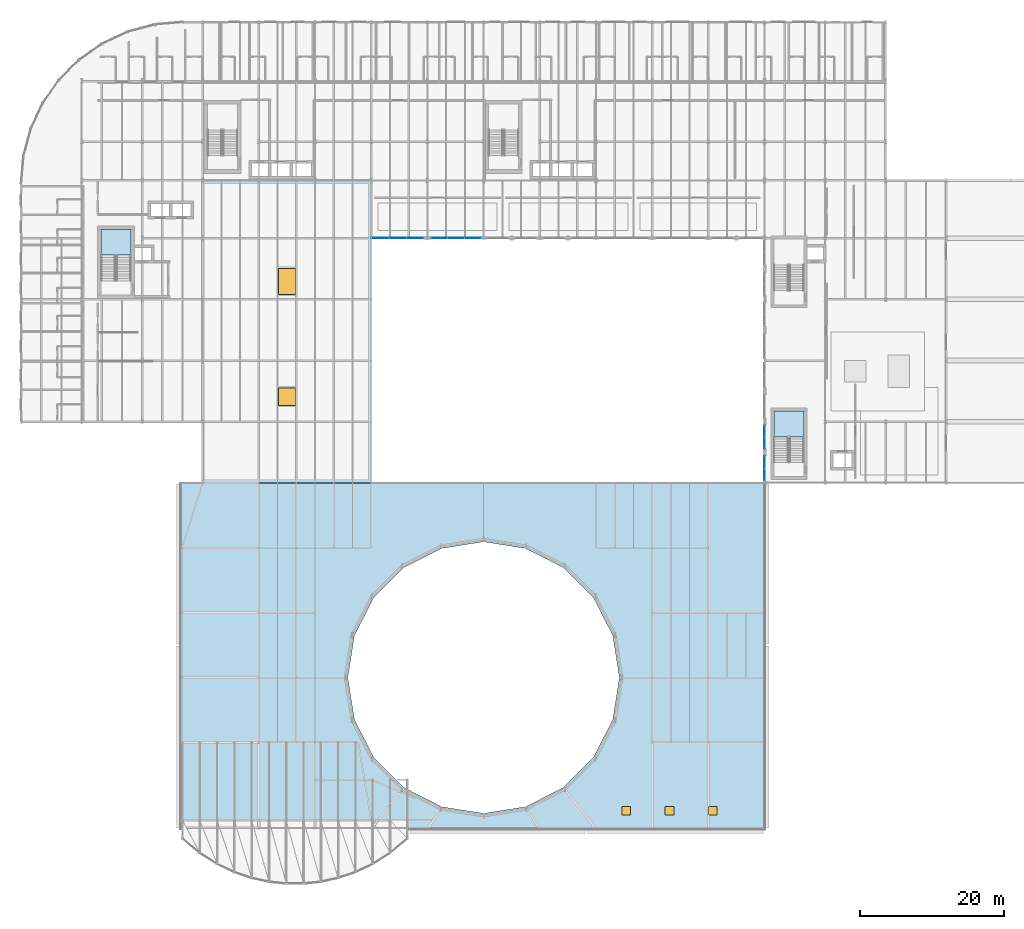
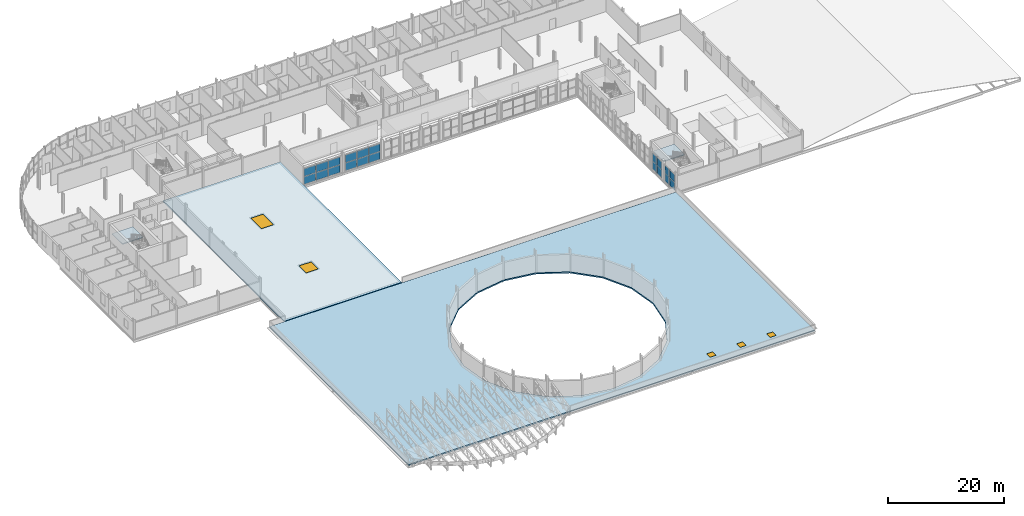
# One storey, part 31 of 58: 20 plates, 5 windows, 4 slabs, 5 openings, 6 elements without a shape of their own.
"""IFC4 building model written with IfcOpenShell, lengths in metres."""

from ifc_helpers import new_model, si_unit, direction, frame, origin, origin_2d, place, context, subcontext, project, spatial, polyline, rectangle, outline, extrude, material, layer, layer_set, type_object, element, fill, aggregate, save


model = new_model("IFC4")

# Units and contexts
model_context = context("Model", 3, precision=1e-05, world=origin(), true_north=direction((0.0, 1.0)))
body_context = subcontext(model_context, "Body", "Model", "MODEL_VIEW")
ifc_project = project(units=[si_unit("LENGTHUNIT", "METRE"), si_unit("AREAUNIT", "SQUARE_METRE"), si_unit("VOLUMEUNIT", "CUBIC_METRE"), si_unit("PLANEANGLEUNIT", "RADIAN"), si_unit("MASSUNIT", "GRAM", prefix="KILO")], contexts=[model_context])

# Site, building, storey
site_placement = place(None, origin())
site = spatial("IfcSite", under=ifc_project, at=site_placement, CompositionType="ELEMENT")
building_placement = place(site_placement, origin())
building = spatial("IfcBuilding", under=site, at=building_placement, Name="Sefraquen Railside Congress Hotel", CompositionType="ELEMENT")
storey_placement = place(building_placement, frame((0.0, 0.0, 16.199951171875)))
storey = spatial("IfcBuildingStorey", under=building, at=storey_placement, Name="L03", CompositionType="ELEMENT", Elevation=16.199951171875)

# Curtain wall, plates
ifc_material_1 = material(Name="Thermally broken anodised aluminium and low-E double glazing", Category="aluminium")
ifc_layer_1 = layer(ifc_material_1, 0.199951171875)
ifc_layer_set_1 = layer_set([ifc_layer_1], Name="Thermally broken anodised aluminium and low-E double glazing")
curtain_wall_type_1 = type_object("IfcCurtainWallType", Name="TCW-UCW-32", PredefinedType="USERDEFINED", material=ifc_layer_set_1)
curtain_wall_1_placement = place(storey_placement, origin())
curtain_wall_1 = element("IfcCurtainWall", 1, at=curtain_wall_1_placement, inside=storey, type_object=curtain_wall_type_1, Name="Meeting Wing L03 courtyard north curtain wall 1", ObjectType="UNITISED CURTAIN WALL", PredefinedType="USERDEFINED")
ifc_material_2 = material(Name="Solar-control low-E double glazing", Category="glass")
ifc_layer_2 = layer(ifc_material_2, 0.02392578125)
ifc_layer_set_2 = layer_set([ifc_layer_2], Name="Solar-control low-E double glazing")
plate_type_1 = type_object("IfcPlateType", Name="TP-CWP-01", PredefinedType="CURTAIN_PANEL", material=ifc_layer_set_2)
plate_1_placement = place(storey_placement, frame((49.853271484375, 88.0, 0.0400390625), z_axis=(0.0, 0.0, 1.0), x_axis=(1.0, 0.0, 0.0)))
plate_1 = element("IfcPlate", 2, at=plate_1_placement, type_object=plate_type_1, Name="CW-L03-064 panel 1.1", PredefinedType="CURTAIN_PANEL", context=body_context, shape_type="SweptSolid", body=[
    extrude(rectangle(XDim=2.336669921875, YDim=0.02392578125, at=origin_2d()), origin(), (0.0, 0.0, 1.0), 1.60498046875),
])
plate_2_placement = place(storey_placement, frame((52.280029296875, 88.0, 0.0400390625), z_axis=(0.0, 0.0, 1.0), x_axis=(1.0, 0.0, 0.0)))
plate_2 = element("IfcPlate", 3, at=plate_2_placement, type_object=plate_type_1, Name="CW-L03-064 panel 1.2", PredefinedType="CURTAIN_PANEL", context=body_context, shape_type="SweptSolid", body=[
    extrude(rectangle(XDim=2.336669921875, YDim=0.02392578125, at=origin_2d()), origin(), (0.0, 0.0, 1.0), 1.60498046875),
])
plate_3_placement = place(storey_placement, frame((54.706787109375, 88.0, 0.0400390625), z_axis=(0.0, 0.0, 1.0), x_axis=(1.0, 0.0, 0.0)))
plate_3 = element("IfcPlate", 4, at=plate_3_placement, type_object=plate_type_1, Name="CW-L03-064 panel 1.3", PredefinedType="CURTAIN_PANEL", context=body_context, shape_type="SweptSolid", body=[
    extrude(rectangle(XDim=2.336669921875, YDim=0.02392578125, at=origin_2d()), origin(), (0.0, 0.0, 1.0), 1.60498046875),
])

curtain_wall_2_placement = place(storey_placement, origin())
curtain_wall_2 = element("IfcCurtainWall", 5, at=curtain_wall_2_placement, inside=storey, type_object=curtain_wall_type_1, Name="Meeting Wing L03 courtyard north curtain wall 1 bay 2", ObjectType="UNITISED CURTAIN WALL", PredefinedType="USERDEFINED")
plate_4_placement = place(storey_placement, frame((58.04833984375, 88.0, 0.0400390625), z_axis=(0.0, 0.0, 1.0), x_axis=(1.0, 0.0, 0.0)))
plate_4 = element("IfcPlate", 6, at=plate_4_placement, type_object=plate_type_1, Name="CW-L03-064-S2 panel 1.1", PredefinedType="CURTAIN_PANEL", context=body_context, shape_type="SweptSolid", body=[
    extrude(rectangle(XDim=2.24658203125, YDim=0.02392578125, at=origin_2d()), origin(), (0.0, 0.0, 1.0), 1.60498046875),
])
plate_5_placement = place(storey_placement, frame((60.385009765625, 88.0, 0.0400390625), z_axis=(0.0, 0.0, 1.0), x_axis=(1.0, 0.0, 0.0)))
plate_5 = element("IfcPlate", 7, at=plate_5_placement, type_object=plate_type_1, Name="CW-L03-064-S2 panel 1.2", PredefinedType="CURTAIN_PANEL", context=body_context, shape_type="SweptSolid", body=[
    extrude(rectangle(XDim=2.24658203125, YDim=0.02392578125, at=origin_2d()), origin(), (0.0, 0.0, 1.0), 1.60498046875),
])
plate_6_placement = place(storey_placement, frame((62.7216796875, 88.0, 0.0400390625), z_axis=(0.0, 0.0, 1.0), x_axis=(1.0, 0.0, 0.0)))
plate_6 = element("IfcPlate", 8, at=plate_6_placement, type_object=plate_type_1, Name="CW-L03-064-S2 panel 1.3", PredefinedType="CURTAIN_PANEL", context=body_context, shape_type="SweptSolid", body=[
    extrude(rectangle(XDim=2.24658203125, YDim=0.02392578125, at=origin_2d()), origin(), (0.0, 0.0, 1.0), 1.60498046875),
])

ifc_layer_3 = layer(ifc_material_1, 0.199951171875)
ifc_layer_set_3 = layer_set([ifc_layer_3], Name="Thermally broken anodised aluminium and low-E double glazing")
curtain_wall_type_2 = type_object("IfcCurtainWallType", Name="TCW-UCW-03", PredefinedType="USERDEFINED", material=ifc_layer_set_3)
curtain_wall_3_placement = place(storey_placement, origin())
curtain_wall_3 = element("IfcCurtainWall", 9, at=curtain_wall_3_placement, inside=storey, type_object=curtain_wall_type_2, Name="Meeting Wing L03 courtyard east curtain wall", ObjectType="UNITISED CURTAIN WALL", PredefinedType="USERDEFINED")
plate_7_placement = place(storey_placement, frame((103.199951171875, 55.175048828125, 0.0400390625), z_axis=(0.0, 0.0, 1.0), x_axis=(0.0, 1.0, 0.0)))
plate_7 = element("IfcPlate", 10, at=plate_7_placement, type_object=plate_type_1, Name="CW-L03-067 panel 1.1", PredefinedType="CURTAIN_PANEL", context=body_context, shape_type="SweptSolid", body=[
    extrude(rectangle(XDim=1.639892578125, YDim=0.02392578125, at=origin_2d()), origin(), (0.0, 0.0, 1.0), 1.60498046875),
])
plate_8_placement = place(storey_placement, frame((103.199951171875, 56.905029296875, 0.0400390625), z_axis=(0.0, 0.0, 1.0), x_axis=(0.0, 1.0, 0.0)))
plate_8 = element("IfcPlate", 11, at=plate_8_placement, type_object=plate_type_1, Name="CW-L03-067 panel 1.2", PredefinedType="CURTAIN_PANEL", context=body_context, shape_type="SweptSolid", body=[
    extrude(rectangle(XDim=1.639892578125, YDim=0.02392578125, at=origin_2d()), origin(), (0.0, 0.0, 1.0), 1.60498046875),
])

curtain_wall_4_placement = place(storey_placement, origin())
curtain_wall_4 = element("IfcCurtainWall", 12, at=curtain_wall_4_placement, inside=storey, type_object=curtain_wall_type_2, Name="Meeting Wing L03 courtyard east curtain wall bay 2", ObjectType="UNITISED CURTAIN WALL", PredefinedType="USERDEFINED")
plate_9_placement = place(storey_placement, frame((103.199951171875, 59.552490234375, 0.0400390625), z_axis=(0.0, 0.0, 1.0), x_axis=(0.0, 1.0, 0.0)))
plate_9 = element("IfcPlate", 13, at=plate_9_placement, type_object=plate_type_1, Name="CW-L03-067-S2 panel 1.1", PredefinedType="CURTAIN_PANEL", context=body_context, shape_type="SweptSolid", body=[
    extrude(rectangle(XDim=1.554931640625, YDim=0.02392578125, at=origin_2d()), origin(), (0.0, 0.0, 1.0), 1.60498046875),
])
plate_10_placement = place(storey_placement, frame((103.199951171875, 61.197509765625, 0.0400390625), z_axis=(0.0, 0.0, 1.0), x_axis=(0.0, 1.0, 0.0)))
plate_10 = element("IfcPlate", 14, at=plate_10_placement, type_object=plate_type_1, Name="CW-L03-067-S2 panel 1.2", PredefinedType="CURTAIN_PANEL", context=body_context, shape_type="SweptSolid", body=[
    extrude(rectangle(XDim=1.554931640625, YDim=0.02392578125, at=origin_2d()), origin(), (0.0, 0.0, 1.0), 1.60498046875),
])

# Plate
ifc_material_3 = material(Name="Triple acoustic solar-control glazing", Category="glass")
ifc_layer_4 = layer(ifc_material_3, 0.031982421875)
ifc_layer_set_4 = layer_set([ifc_layer_4], Name="Triple acoustic solar-control glazing")
plate_type_2 = type_object("IfcPlateType", Name="TP-CWP-02", PredefinedType="CURTAIN_PANEL", material=ifc_layer_set_4)
plate_11_placement = place(storey_placement, frame((49.853271484375, 88.0, 1.72509765625), z_axis=(0.0, 0.0, 1.0), x_axis=(1.0, 0.0, 0.0)))
plate_11 = element("IfcPlate", 15, at=plate_11_placement, type_object=plate_type_2, Name="CW-L03-064 panel 2.1", PredefinedType="CURTAIN_PANEL", context=body_context, shape_type="SweptSolid", body=[
    extrude(rectangle(XDim=2.336669921875, YDim=0.031982421875, at=origin_2d()), origin(), (0.0, 0.0, 1.0), 1.60498046875),
])

plate_12_placement = place(storey_placement, frame((52.280029296875, 88.0, 1.72509765625), z_axis=(0.0, 0.0, 1.0), x_axis=(1.0, 0.0, 0.0)))
plate_12 = element("IfcPlate", 16, at=plate_12_placement, type_object=plate_type_2, Name="CW-L03-064 panel 2.2", PredefinedType="CURTAIN_PANEL", context=body_context, shape_type="SweptSolid", body=[
    extrude(rectangle(XDim=2.336669921875, YDim=0.031982421875, at=origin_2d()), origin(), (0.0, 0.0, 1.0), 1.60498046875),
])

plate_13_placement = place(storey_placement, frame((54.706787109375, 88.0, 1.72509765625), z_axis=(0.0, 0.0, 1.0), x_axis=(1.0, 0.0, 0.0)))
plate_13 = element("IfcPlate", 17, at=plate_13_placement, type_object=plate_type_2, Name="CW-L03-064 panel 2.3", PredefinedType="CURTAIN_PANEL", context=body_context, shape_type="SweptSolid", body=[
    extrude(rectangle(XDim=2.336669921875, YDim=0.031982421875, at=origin_2d()), origin(), (0.0, 0.0, 1.0), 1.60498046875),
])

aggregate(curtain_wall_1, [plate_1, plate_2, plate_3, plate_11, plate_12, plate_13])

plate_14_placement = place(storey_placement, frame((58.04833984375, 88.0, 1.72509765625), z_axis=(0.0, 0.0, 1.0), x_axis=(1.0, 0.0, 0.0)))
plate_14 = element("IfcPlate", 18, at=plate_14_placement, type_object=plate_type_2, Name="CW-L03-064-S2 panel 2.1", PredefinedType="CURTAIN_PANEL", context=body_context, shape_type="SweptSolid", body=[
    extrude(rectangle(XDim=2.24658203125, YDim=0.031982421875, at=origin_2d()), origin(), (0.0, 0.0, 1.0), 1.60498046875),
])

plate_15_placement = place(storey_placement, frame((60.385009765625, 88.0, 1.72509765625), z_axis=(0.0, 0.0, 1.0), x_axis=(1.0, 0.0, 0.0)))
plate_15 = element("IfcPlate", 19, at=plate_15_placement, type_object=plate_type_2, Name="CW-L03-064-S2 panel 2.2", PredefinedType="CURTAIN_PANEL", context=body_context, shape_type="SweptSolid", body=[
    extrude(rectangle(XDim=2.24658203125, YDim=0.031982421875, at=origin_2d()), origin(), (0.0, 0.0, 1.0), 1.60498046875),
])

plate_16_placement = place(storey_placement, frame((62.7216796875, 88.0, 1.72509765625), z_axis=(0.0, 0.0, 1.0), x_axis=(1.0, 0.0, 0.0)))
plate_16 = element("IfcPlate", 20, at=plate_16_placement, type_object=plate_type_2, Name="CW-L03-064-S2 panel 2.3", PredefinedType="CURTAIN_PANEL", context=body_context, shape_type="SweptSolid", body=[
    extrude(rectangle(XDim=2.24658203125, YDim=0.031982421875, at=origin_2d()), origin(), (0.0, 0.0, 1.0), 1.60498046875),
])

aggregate(curtain_wall_2, [plate_4, plate_5, plate_6, plate_14, plate_15, plate_16])

plate_17_placement = place(storey_placement, frame((103.199951171875, 55.175048828125, 1.72509765625), z_axis=(0.0, 0.0, 1.0), x_axis=(0.0, 1.0, 0.0)))
plate_17 = element("IfcPlate", 21, at=plate_17_placement, type_object=plate_type_2, Name="CW-L03-067 panel 2.1", PredefinedType="CURTAIN_PANEL", context=body_context, shape_type="SweptSolid", body=[
    extrude(rectangle(XDim=1.639892578125, YDim=0.031982421875, at=origin_2d()), origin(), (0.0, 0.0, 1.0), 1.60498046875),
])

plate_18_placement = place(storey_placement, frame((103.199951171875, 56.905029296875, 1.72509765625), z_axis=(0.0, 0.0, 1.0), x_axis=(0.0, 1.0, 0.0)))
plate_18 = element("IfcPlate", 22, at=plate_18_placement, type_object=plate_type_2, Name="CW-L03-067 panel 2.2", PredefinedType="CURTAIN_PANEL", context=body_context, shape_type="SweptSolid", body=[
    extrude(rectangle(XDim=1.639892578125, YDim=0.031982421875, at=origin_2d()), origin(), (0.0, 0.0, 1.0), 1.60498046875),
])

aggregate(curtain_wall_3, [plate_7, plate_8, plate_17, plate_18])

plate_19_placement = place(storey_placement, frame((103.199951171875, 59.552490234375, 1.72509765625), z_axis=(0.0, 0.0, 1.0), x_axis=(0.0, 1.0, 0.0)))
plate_19 = element("IfcPlate", 23, at=plate_19_placement, type_object=plate_type_2, Name="CW-L03-067-S2 panel 2.1", PredefinedType="CURTAIN_PANEL", context=body_context, shape_type="SweptSolid", body=[
    extrude(rectangle(XDim=1.554931640625, YDim=0.031982421875, at=origin_2d()), origin(), (0.0, 0.0, 1.0), 1.60498046875),
])

plate_20_placement = place(storey_placement, frame((103.199951171875, 61.197509765625, 1.72509765625), z_axis=(0.0, 0.0, 1.0), x_axis=(0.0, 1.0, 0.0)))
plate_20 = element("IfcPlate", 24, at=plate_20_placement, type_object=plate_type_2, Name="CW-L03-067-S2 panel 2.2", PredefinedType="CURTAIN_PANEL", context=body_context, shape_type="SweptSolid", body=[
    extrude(rectangle(XDim=1.554931640625, YDim=0.031982421875, at=origin_2d()), origin(), (0.0, 0.0, 1.0), 1.60498046875),
])

aggregate(curtain_wall_4, [plate_9, plate_10, plate_19, plate_20])

# Stair, slab
ifc_material_4 = material(Name="Concrete C40/50", Category="concrete")
stair_type_1 = type_object("IfcStairType", Name="TST-DOG-198-360", PredefinedType="HALF_TURN_STAIR", material=ifc_material_4)
stair_1_placement = place(storey_placement, origin())
stair_1 = element("IfcStair", 25, at=stair_1_placement, inside=storey, type_object=stair_type_1, Name="L03 Pressurized escape stair ST-H01", PredefinedType="HALF_TURN_STAIR")
ifc_layer_5 = layer(ifc_material_4, 0.199951171875)
ifc_layer_set_5 = layer_set([ifc_layer_5], Name="Concrete C40/50")
slab_type_1 = type_object("IfcSlabType", Name="TS-LD-200", PredefinedType="LANDING", material=ifc_layer_set_5)
slab_1_placement = place(storey_placement, frame((0.0, 0.0, 1.900146484375)))
slab_1 = element("IfcSlab", 26, at=slab_1_placement, type_object=slab_type_1, Name="ST-H01 landing 1", PredefinedType="LANDING", context=body_context, shape_type="SweptSolid", body=[
    extrude(outline(polyline([(15.260009765625, 85.6220703125), (15.260009765625, 89.2119140625), (11.10009765625, 89.2119140625), (11.10009765625, 85.6220703125), (15.260009765625, 85.6220703125)])), origin(), (0.0, 0.0, 1.0), 0.199951171875),
])
aggregate(stair_1, [slab_1])

stair_type_2 = type_object("IfcStairType", Name="TST-DOG-198-540", PredefinedType="HALF_TURN_STAIR", material=ifc_material_4)
stair_2_placement = place(storey_placement, origin())
stair_2 = element("IfcStair", 27, at=stair_2_placement, inside=storey, type_object=stair_type_2, Name="L03 Pressurized escape stair ST-M02", PredefinedType="HALF_TURN_STAIR")
slab_2_placement = place(storey_placement, frame((0.0, 0.0, 1.900146484375)))
slab_2 = element("IfcSlab", 28, at=slab_2_placement, type_object=slab_type_1, Name="ST-M02 landing 1", PredefinedType="LANDING", context=body_context, shape_type="SweptSolid", body=[
    extrude(outline(polyline([(108.659912109375, 60.422119140625), (108.659912109375, 64.011962890625), (104.5, 64.011962890625), (104.5, 60.422119140625), (108.659912109375, 60.422119140625)])), origin(), (0.0, 0.0, 1.0), 0.199951171875),
])
aggregate(stair_2, [slab_2])

# Slab, openings, windows
ifc_layer_6 = layer(ifc_material_4, 0.260009765625)
ifc_layer_set_6 = layer_set([ifc_layer_6], Name="Concrete C40/50")
slab_type_2 = type_object("IfcSlabType", Name="TS-RF-260", PredefinedType="ROOF", material=ifc_layer_set_6)
slab_3_placement = place(storey_placement, frame((0.0, 0.0, -0.260009765625)))
slab_3 = element("IfcSlab", 29, at=slab_3_placement, inside=storey, type_object=slab_type_2, Name="Congress Hall main flat roof slab around dome drum", PredefinedType="ROOF", context=body_context, shape_type="SweptSolid", body=[
    extrude(outline(polyline([(22.1787109375, 5.978515625), (103.199951171875, 5.978515625), (103.199951171875, 53.949951171875), (22.1787109375, 53.949951171875), (22.1787109375, 5.978515625)]), holes=[polyline([(83.050048828125, 27.0), (82.12744140625, 32.824951171875), (79.449951171875, 38.079833984375), (75.27978515625, 42.25), (70.02490234375, 44.927490234375), (64.199951171875, 45.85009765625), (58.375, 44.927490234375), (53.1201171875, 42.25), (48.949951171875, 38.079833984375), (46.272705078125, 32.824951171875), (45.35009765625, 27.0), (46.272705078125, 21.175048828125), (48.949951171875, 15.920166015625), (53.1201171875, 11.75), (58.375, 9.072509765625), (64.199951171875, 8.14990234375), (70.02490234375, 9.072509765625), (75.27978515625, 11.75), (79.449951171875, 15.920166015625), (82.12744140625, 21.175048828125), (83.050048828125, 27.0)])]), origin(), (0.0, 0.0, 1.0), 0.260009765625),
])
opening_1_placement = place(slab_3_placement, frame((84.0, 8.5, -0.010009765625)))
opening_1 = element("IfcOpeningElement", 30, at=opening_1_placement, cuts=slab_3, Name="Opening SK-08", PredefinedType="OPENING", context=body_context, shape_type="SweptSolid", body=[
    extrude(rectangle(XDim=1.199951171875, YDim=1.199951171875, at=origin_2d()), origin(), (0.0, 0.0, 1.0), 0.280029296875),
])
opening_2_placement = place(slab_3_placement, frame((90.0, 8.5, -0.010009765625)))
opening_2 = element("IfcOpeningElement", 31, at=opening_2_placement, cuts=slab_3, Name="Opening SK-08", PredefinedType="OPENING", context=body_context, shape_type="SweptSolid", body=[
    extrude(rectangle(XDim=1.199951171875, YDim=1.199951171875, at=origin_2d()), origin(), (0.0, 0.0, 1.0), 0.280029296875),
])
opening_3_placement = place(slab_3_placement, frame((96.0, 8.5, -0.010009765625)))
opening_3 = element("IfcOpeningElement", 32, at=opening_3_placement, cuts=slab_3, Name="Opening SK-08", PredefinedType="OPENING", context=body_context, shape_type="SweptSolid", body=[
    extrude(rectangle(XDim=1.199951171875, YDim=1.199951171875, at=origin_2d()), origin(), (0.0, 0.0, 1.0), 0.280029296875),
])
ifc_material_5 = material(Name="Laminated solar-control skylight glazing in bronze kerb", Category="glass")
window_type_1 = type_object("IfcWindowType", Name="TWN-SK-08", PartitioningType="SINGLE_PANEL", PredefinedType="SKYLIGHT", material=ifc_material_5)
window_1_placement = place(opening_1_placement, frame((0.0, 0.0, 0.219970703125)))
window_1 = element("IfcWindow", 33, at=window_1_placement, inside=storey, type_object=window_type_1, Name="Glazed roof skylight or hatch WIN-RF-HATCH-01", OverallHeight=1.199951171875, OverallWidth=1.199951171875, PartitioningType="SINGLE_PANEL", PredefinedType="SKYLIGHT", context=body_context, shape_type="SweptSolid", body=[
    extrude(rectangle(XDim=1.199951171875, YDim=1.199951171875, at=origin_2d()), origin(), (0.0, 0.0, 1.0), 0.050048828125),
])
fill(opening_1, window_1)
window_2_placement = place(opening_2_placement, frame((0.0, 0.0, 0.219970703125)))
window_2 = element("IfcWindow", 34, at=window_2_placement, inside=storey, type_object=window_type_1, Name="Glazed roof skylight or hatch WIN-RF-HATCH-02", OverallHeight=1.199951171875, OverallWidth=1.199951171875, PartitioningType="SINGLE_PANEL", PredefinedType="SKYLIGHT", context=body_context, shape_type="SweptSolid", body=[
    extrude(rectangle(XDim=1.199951171875, YDim=1.199951171875, at=origin_2d()), origin(), (0.0, 0.0, 1.0), 0.050048828125),
])
fill(opening_2, window_2)
window_3_placement = place(opening_3_placement, frame((0.0, 0.0, 0.219970703125)))
window_3 = element("IfcWindow", 35, at=window_3_placement, inside=storey, type_object=window_type_1, Name="Glazed roof skylight or hatch WIN-RF-HATCH-03", OverallHeight=1.199951171875, OverallWidth=1.199951171875, PartitioningType="SINGLE_PANEL", PredefinedType="SKYLIGHT", context=body_context, shape_type="SweptSolid", body=[
    extrude(rectangle(XDim=1.199951171875, YDim=1.199951171875, at=origin_2d()), origin(), (0.0, 0.0, 1.0), 0.050048828125),
])
fill(opening_3, window_3)

slab_4_placement = place(storey_placement, frame((0.0, 0.0, -0.260009765625)))
slab_4 = element("IfcSlab", 36, at=slab_4_placement, inside=storey, type_object=slab_type_2, Name="West Foyer L03 roof slab", PredefinedType="ROOF", context=body_context, shape_type="SweptSolid", body=[
    extrude(outline(polyline([(25.199951171875, 54.050048828125), (48.60009765625, 54.050048828125), (48.60009765625, 96.0), (25.199951171875, 96.0), (25.199951171875, 54.050048828125)])), origin(), (0.0, 0.0, 1.0), 0.260009765625),
])
opening_4_placement = place(slab_4_placement, frame((36.89990234375, 66.0, -0.010009765625)))
opening_4 = element("IfcOpeningElement", 37, at=opening_4_placement, cuts=slab_4, Name="Opening SK-03", PredefinedType="OPENING", context=body_context, shape_type="SweptSolid", body=[
    extrude(rectangle(XDim=2.39990234375, YDim=2.39990234375, at=origin_2d()), origin(), (0.0, 0.0, 1.0), 0.280029296875),
])
opening_5_placement = place(slab_4_placement, frame((36.89990234375, 82.0, -0.010009765625)))
opening_5 = element("IfcOpeningElement", 38, at=opening_5_placement, cuts=slab_4, Name="Opening SK-04", PredefinedType="OPENING", context=body_context, shape_type="SweptSolid", body=[
    extrude(rectangle(XDim=2.39990234375, YDim=3.60009765625, at=origin_2d()), origin(), (0.0, 0.0, 1.0), 0.280029296875),
])
window_type_2 = type_object("IfcWindowType", Name="TWN-SK-03", PartitioningType="SINGLE_PANEL", PredefinedType="SKYLIGHT", material=ifc_material_5)
window_4_placement = place(opening_4_placement, frame((0.0, 0.0, 0.219970703125)))
window_4 = element("IfcWindow", 39, at=window_4_placement, inside=storey, type_object=window_type_2, Name="Glazed roof skylight or hatch WIN-L03-FOYER-SK3", OverallHeight=2.39990234375, OverallWidth=2.39990234375, PartitioningType="SINGLE_PANEL", PredefinedType="SKYLIGHT", context=body_context, shape_type="SweptSolid", body=[
    extrude(rectangle(XDim=2.39990234375, YDim=2.39990234375, at=origin_2d()), origin(), (0.0, 0.0, 1.0), 0.050048828125),
])
fill(opening_4, window_4)
window_type_3 = type_object("IfcWindowType", Name="TWN-SK-04", PartitioningType="SINGLE_PANEL", PredefinedType="SKYLIGHT", material=ifc_material_5)
window_5_placement = place(opening_5_placement, frame((0.0, 0.0, 0.219970703125)))
window_5 = element("IfcWindow", 40, at=window_5_placement, inside=storey, type_object=window_type_3, Name="Glazed roof skylight or hatch WIN-L03-FOYER-SK4", OverallHeight=3.60009765625, OverallWidth=2.39990234375, PartitioningType="SINGLE_PANEL", PredefinedType="SKYLIGHT", context=body_context, shape_type="SweptSolid", body=[
    extrude(rectangle(XDim=2.39990234375, YDim=3.60009765625, at=origin_2d()), origin(), (0.0, 0.0, 1.0), 0.050048828125),
])
fill(opening_5, window_5)

save(model, "model.ifc")
